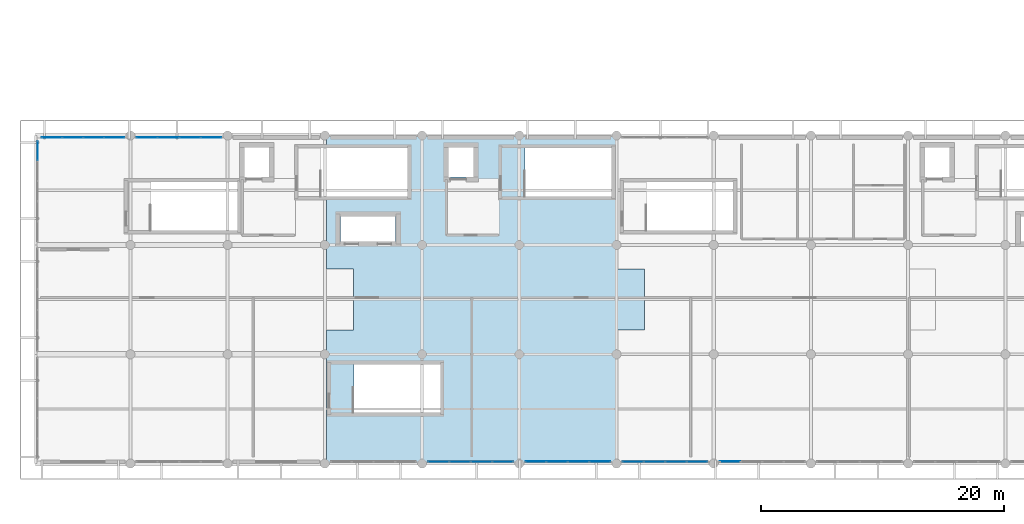
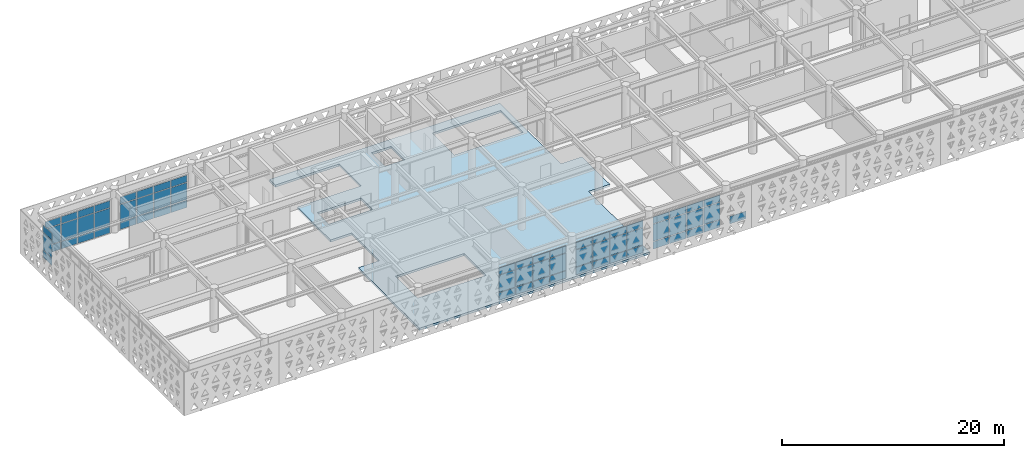
# One storey, part 15 of 26: 64 plates, 1 slab, 7 elements without a shape of their own.
"""IFC4 building model written with IfcOpenShell, lengths in metres."""

from ifc_helpers import new_model, si_unit, direction, frame, origin, origin_2d, place, context, subcontext, project, spatial, polyline, rectangle, outline, extrude, material, layer, layer_set, type_object, element, aggregate, save


model = new_model("IFC4")

# Units and contexts
model_context = context("Model", 3, precision=1e-05, world=origin(), true_north=direction((0.0, 1.0)))
body_context = subcontext(model_context, "Body", "Model", "MODEL_VIEW")
ifc_project = project(units=[si_unit("LENGTHUNIT", "METRE"), si_unit("AREAUNIT", "SQUARE_METRE"), si_unit("VOLUMEUNIT", "CUBIC_METRE"), si_unit("PLANEANGLEUNIT", "RADIAN"), si_unit("MASSUNIT", "GRAM", prefix="KILO")], contexts=[model_context])

# Site, building, storey
site_placement = place(None, origin())
site = spatial("IfcSite", under=ifc_project, at=site_placement, CompositionType="ELEMENT")
building_placement = place(site_placement, origin())
building = spatial("IfcBuilding", under=site, at=building_placement, Name="Tlacozan Convention Centre", CompositionType="ELEMENT")
storey_placement = place(building_placement, frame((0.0, 0.0, 21.0)))
storey = spatial("IfcBuildingStorey", under=building, at=storey_placement, Name="L04", CompositionType="ELEMENT", Elevation=21.0)

# Slab
ifc_material_1 = material(Name="Concrete C40/50", Category="concrete")
ifc_layer_1 = layer(ifc_material_1, 0.239990234375)
ifc_layer_set_1 = layer_set([ifc_layer_1], Name="Concrete C40/50")
slab_type = type_object("IfcSlabType", Name="Belvedere Congress Floor Slab 240", PredefinedType="FLOOR", material=ifc_layer_set_1)
slab_placement = place(storey_placement, frame((0.0, 0.0, -0.239990234375)))
element("IfcSlab", 1, at=slab_placement, inside=storey, type_object=slab_type, Name="L04 Belvedere Congress Floor Slab 240 85", PredefinedType="FLOOR", context=body_context, shape_type="SweptSolid", body=[
    extrude(outline(polyline([(24.14990234375, 11.0), (26.35009765625, 11.0), (26.35009765625, 16.0), (24.14990234375, 16.0), (24.14990234375, 22.0), (30.800048828125, 22.0), (30.800048828125, 25.9599609375), (24.14990234375, 25.9599609375), (24.14990234375, 27.0), (48.10009765625, 27.0), (48.10009765625, 16.0), (50.300048828125, 16.0), (50.300048828125, 11.0), (48.10009765625, 11.0), (48.10009765625, 0.0), (24.14990234375, 0.0), (24.14990234375, 11.0)]), holes=[polyline([(33.5, 8.159912109375), (26.3798828125, 8.159912109375), (26.3798828125, 4.199951171875), (33.5, 4.199951171875), (33.5, 8.159912109375)]), polyline([(25.27001953125, 20.330078125), (25.27001953125, 18.27001953125), (29.830078125, 18.27001953125), (29.830078125, 20.330078125), (25.27001953125, 20.330078125)]), polyline([(34.179931640625, 26.02001953125), (34.179931640625, 23.580078125), (36.219970703125, 23.580078125), (36.219970703125, 26.02001953125), (34.179931640625, 26.02001953125)]), polyline([(47.60009765625, 25.9599609375), (40.47998046875, 25.9599609375), (40.47998046875, 22.0), (47.60009765625, 22.0), (47.60009765625, 25.9599609375)])]), origin(), (0.0, 0.0, 1.0), 0.239990234375),
])

# Curtain wall, plates
ifc_material_2 = material(Name="Dark Bronze Anodised Aluminium", Category="aluminium")
ifc_layer_2 = layer(ifc_material_2, 0.159912109375)
ifc_layer_set_2 = layer_set([ifc_layer_2], Name="Dark Bronze Anodised Aluminium")
curtain_wall_type_1 = type_object("IfcCurtainWallType", Name="Unitised Congress L04 South CW05", PredefinedType="NOTDEFINED", material=ifc_layer_set_2)
curtain_wall_1_placement = place(storey_placement, origin())
curtain_wall_1 = element("IfcCurtainWall", 2, at=curtain_wall_1_placement, inside=storey, type_object=curtain_wall_type_1, Name="L04 CW-05 Run 134", PredefinedType="NOTDEFINED")
ifc_material_3 = material(Name="Solar Control Double Low-E Argon Glazing", Category="glass")
ifc_layer_3 = layer(ifc_material_3, 0.030029296875)
ifc_layer_set_3 = layer_set([ifc_layer_3], Name="Solar Control Double Low-E Argon Glazing")
plate_type_1 = type_object("IfcPlateType", Name="Double Low-E Acoustic CW Panel 30", PredefinedType="CURTAIN_PANEL", material=ifc_layer_set_3)
plate_1_placement = place(storey_placement, frame((1.52880859375, 26.840087890625, 0.06494140625), z_axis=(0.0, 0.0, 1.0), x_axis=(1.0, 0.0, 0.0)))
plate_1 = element("IfcPlate", 3, at=plate_1_placement, type_object=plate_type_1, Name="CW-05 panel 1.1", PredefinedType="CURTAIN_PANEL", context=body_context, shape_type="SweptSolid", body=[
    extrude(rectangle(XDim=1.62744140625, YDim=0.030029296875, at=origin_2d()), origin(), (0.0, 0.0, 1.0), 0.802490234375),
])
plate_2_placement = place(storey_placement, frame((1.52880859375, 26.840087890625, 0.9326171875), z_axis=(0.0, 0.0, 1.0), x_axis=(1.0, 0.0, 0.0)))
plate_2 = element("IfcPlate", 4, at=plate_2_placement, type_object=plate_type_1, Name="CW-05 panel 1.2", PredefinedType="CURTAIN_PANEL", context=body_context, shape_type="SweptSolid", body=[
    extrude(rectangle(XDim=1.62744140625, YDim=0.030029296875, at=origin_2d()), origin(), (0.0, 0.0, 1.0), 1.864990234375),
])
plate_3_placement = place(storey_placement, frame((1.52880859375, 26.840087890625, 2.862548828125), z_axis=(0.0, 0.0, 1.0), x_axis=(1.0, 0.0, 0.0)))
plate_3 = element("IfcPlate", 5, at=plate_3_placement, type_object=plate_type_1, Name="CW-05 panel 1.3", PredefinedType="CURTAIN_PANEL", context=body_context, shape_type="SweptSolid", body=[
    extrude(rectangle(XDim=1.62744140625, YDim=0.030029296875, at=origin_2d()), origin(), (0.0, 0.0, 1.0), 0.75244140625),
])
plate_4_placement = place(storey_placement, frame((3.237548828125, 26.840087890625, 0.06494140625), z_axis=(0.0, 0.0, 1.0), x_axis=(1.0, 0.0, 0.0)))
plate_4 = element("IfcPlate", 6, at=plate_4_placement, type_object=plate_type_1, Name="CW-05 panel 2.1", PredefinedType="CURTAIN_PANEL", context=body_context, shape_type="SweptSolid", body=[
    extrude(rectangle(XDim=1.659912109375, YDim=0.030029296875, at=origin_2d()), origin(), (0.0, 0.0, 1.0), 0.802490234375),
])
plate_5_placement = place(storey_placement, frame((3.237548828125, 26.840087890625, 0.9326171875), z_axis=(0.0, 0.0, 1.0), x_axis=(1.0, 0.0, 0.0)))
plate_5 = element("IfcPlate", 7, at=plate_5_placement, type_object=plate_type_1, Name="CW-05 panel 2.2", PredefinedType="CURTAIN_PANEL", context=body_context, shape_type="SweptSolid", body=[
    extrude(rectangle(XDim=1.659912109375, YDim=0.030029296875, at=origin_2d()), origin(), (0.0, 0.0, 1.0), 1.864990234375),
])
plate_6_placement = place(storey_placement, frame((3.237548828125, 26.840087890625, 2.862548828125), z_axis=(0.0, 0.0, 1.0), x_axis=(1.0, 0.0, 0.0)))
plate_6 = element("IfcPlate", 8, at=plate_6_placement, type_object=plate_type_1, Name="CW-05 panel 2.3", PredefinedType="CURTAIN_PANEL", context=body_context, shape_type="SweptSolid", body=[
    extrude(rectangle(XDim=1.659912109375, YDim=0.030029296875, at=origin_2d()), origin(), (0.0, 0.0, 1.0), 0.75244140625),
])
plate_7_placement = place(storey_placement, frame((4.96240234375, 26.840087890625, 0.06494140625), z_axis=(0.0, 0.0, 1.0), x_axis=(1.0, 0.0, 0.0)))
plate_7 = element("IfcPlate", 9, at=plate_7_placement, type_object=plate_type_1, Name="CW-05 panel 3.1", PredefinedType="CURTAIN_PANEL", context=body_context, shape_type="SweptSolid", body=[
    extrude(rectangle(XDim=1.659912109375, YDim=0.030029296875, at=origin_2d()), origin(), (0.0, 0.0, 1.0), 0.802490234375),
])
plate_8_placement = place(storey_placement, frame((4.96240234375, 26.840087890625, 0.9326171875), z_axis=(0.0, 0.0, 1.0), x_axis=(1.0, 0.0, 0.0)))
plate_8 = element("IfcPlate", 10, at=plate_8_placement, type_object=plate_type_1, Name="CW-05 panel 3.2", PredefinedType="CURTAIN_PANEL", context=body_context, shape_type="SweptSolid", body=[
    extrude(rectangle(XDim=1.659912109375, YDim=0.030029296875, at=origin_2d()), origin(), (0.0, 0.0, 1.0), 1.864990234375),
])
plate_9_placement = place(storey_placement, frame((4.96240234375, 26.840087890625, 2.862548828125), z_axis=(0.0, 0.0, 1.0), x_axis=(1.0, 0.0, 0.0)))
plate_9 = element("IfcPlate", 11, at=plate_9_placement, type_object=plate_type_1, Name="CW-05 panel 3.3", PredefinedType="CURTAIN_PANEL", context=body_context, shape_type="SweptSolid", body=[
    extrude(rectangle(XDim=1.659912109375, YDim=0.030029296875, at=origin_2d()), origin(), (0.0, 0.0, 1.0), 0.75244140625),
])
plate_10_placement = place(storey_placement, frame((6.671142578125, 26.840087890625, 0.06494140625), z_axis=(0.0, 0.0, 1.0), x_axis=(1.0, 0.0, 0.0)))
plate_10 = element("IfcPlate", 12, at=plate_10_placement, type_object=plate_type_1, Name="CW-05 panel 4.1", PredefinedType="CURTAIN_PANEL", context=body_context, shape_type="SweptSolid", body=[
    extrude(rectangle(XDim=1.62744140625, YDim=0.030029296875, at=origin_2d()), origin(), (0.0, 0.0, 1.0), 0.802490234375),
])
plate_11_placement = place(storey_placement, frame((6.671142578125, 26.840087890625, 0.9326171875), z_axis=(0.0, 0.0, 1.0), x_axis=(1.0, 0.0, 0.0)))
plate_11 = element("IfcPlate", 13, at=plate_11_placement, type_object=plate_type_1, Name="CW-05 panel 4.2", PredefinedType="CURTAIN_PANEL", context=body_context, shape_type="SweptSolid", body=[
    extrude(rectangle(XDim=1.62744140625, YDim=0.030029296875, at=origin_2d()), origin(), (0.0, 0.0, 1.0), 1.864990234375),
])
plate_12_placement = place(storey_placement, frame((6.671142578125, 26.840087890625, 2.862548828125), z_axis=(0.0, 0.0, 1.0), x_axis=(1.0, 0.0, 0.0)))
plate_12 = element("IfcPlate", 14, at=plate_12_placement, type_object=plate_type_1, Name="CW-05 panel 4.3", PredefinedType="CURTAIN_PANEL", context=body_context, shape_type="SweptSolid", body=[
    extrude(rectangle(XDim=1.62744140625, YDim=0.030029296875, at=origin_2d()), origin(), (0.0, 0.0, 1.0), 0.75244140625),
])
aggregate(curtain_wall_1, [plate_1, plate_2, plate_3, plate_4, plate_5, plate_6, plate_7, plate_8, plate_9, plate_10, plate_11, plate_12])

curtain_wall_2_placement = place(storey_placement, origin())
curtain_wall_2 = element("IfcCurtainWall", 15, at=curtain_wall_2_placement, inside=storey, type_object=curtain_wall_type_1, Name="L04 CW-05 Run 135", PredefinedType="NOTDEFINED")
plate_13_placement = place(storey_placement, frame((9.353759765625, 26.840087890625, 0.06494140625), z_axis=(0.0, 0.0, 1.0), x_axis=(1.0, 0.0, 0.0)))
plate_13 = element("IfcPlate", 16, at=plate_13_placement, type_object=plate_type_1, Name="CW-05 panel 1.1", PredefinedType="CURTAIN_PANEL", context=body_context, shape_type="SweptSolid", body=[
    extrude(rectangle(XDim=1.677490234375, YDim=0.030029296875, at=origin_2d()), origin(), (0.0, 0.0, 1.0), 0.802490234375),
])
plate_14_placement = place(storey_placement, frame((9.353759765625, 26.840087890625, 0.9326171875), z_axis=(0.0, 0.0, 1.0), x_axis=(1.0, 0.0, 0.0)))
plate_14 = element("IfcPlate", 17, at=plate_14_placement, type_object=plate_type_1, Name="CW-05 panel 1.2", PredefinedType="CURTAIN_PANEL", context=body_context, shape_type="SweptSolid", body=[
    extrude(rectangle(XDim=1.677490234375, YDim=0.030029296875, at=origin_2d()), origin(), (0.0, 0.0, 1.0), 1.864990234375),
])
plate_15_placement = place(storey_placement, frame((9.353759765625, 26.840087890625, 2.862548828125), z_axis=(0.0, 0.0, 1.0), x_axis=(1.0, 0.0, 0.0)))
plate_15 = element("IfcPlate", 18, at=plate_15_placement, type_object=plate_type_1, Name="CW-05 panel 1.3", PredefinedType="CURTAIN_PANEL", context=body_context, shape_type="SweptSolid", body=[
    extrude(rectangle(XDim=1.677490234375, YDim=0.030029296875, at=origin_2d()), origin(), (0.0, 0.0, 1.0), 0.75244140625),
])
plate_16_placement = place(storey_placement, frame((11.112548828125, 26.840087890625, 0.06494140625), z_axis=(0.0, 0.0, 1.0), x_axis=(1.0, 0.0, 0.0)))
plate_16 = element("IfcPlate", 19, at=plate_16_placement, type_object=plate_type_1, Name="CW-05 panel 2.1", PredefinedType="CURTAIN_PANEL", context=body_context, shape_type="SweptSolid", body=[
    extrude(rectangle(XDim=1.7099609375, YDim=0.030029296875, at=origin_2d()), origin(), (0.0, 0.0, 1.0), 0.802490234375),
])
plate_17_placement = place(storey_placement, frame((11.112548828125, 26.840087890625, 0.9326171875), z_axis=(0.0, 0.0, 1.0), x_axis=(1.0, 0.0, 0.0)))
plate_17 = element("IfcPlate", 20, at=plate_17_placement, type_object=plate_type_1, Name="CW-05 panel 2.2", PredefinedType="CURTAIN_PANEL", context=body_context, shape_type="SweptSolid", body=[
    extrude(rectangle(XDim=1.7099609375, YDim=0.030029296875, at=origin_2d()), origin(), (0.0, 0.0, 1.0), 1.864990234375),
])
plate_18_placement = place(storey_placement, frame((11.112548828125, 26.840087890625, 2.862548828125), z_axis=(0.0, 0.0, 1.0), x_axis=(1.0, 0.0, 0.0)))
plate_18 = element("IfcPlate", 21, at=plate_18_placement, type_object=plate_type_1, Name="CW-05 panel 2.3", PredefinedType="CURTAIN_PANEL", context=body_context, shape_type="SweptSolid", body=[
    extrude(rectangle(XDim=1.7099609375, YDim=0.030029296875, at=origin_2d()), origin(), (0.0, 0.0, 1.0), 0.75244140625),
])
plate_19_placement = place(storey_placement, frame((12.887451171875, 26.840087890625, 0.06494140625), z_axis=(0.0, 0.0, 1.0), x_axis=(1.0, 0.0, 0.0)))
plate_19 = element("IfcPlate", 22, at=plate_19_placement, type_object=plate_type_1, Name="CW-05 panel 3.1", PredefinedType="CURTAIN_PANEL", context=body_context, shape_type="SweptSolid", body=[
    extrude(rectangle(XDim=1.7099609375, YDim=0.030029296875, at=origin_2d()), origin(), (0.0, 0.0, 1.0), 0.802490234375),
])
plate_20_placement = place(storey_placement, frame((12.887451171875, 26.840087890625, 0.9326171875), z_axis=(0.0, 0.0, 1.0), x_axis=(1.0, 0.0, 0.0)))
plate_20 = element("IfcPlate", 23, at=plate_20_placement, type_object=plate_type_1, Name="CW-05 panel 3.2", PredefinedType="CURTAIN_PANEL", context=body_context, shape_type="SweptSolid", body=[
    extrude(rectangle(XDim=1.7099609375, YDim=0.030029296875, at=origin_2d()), origin(), (0.0, 0.0, 1.0), 1.864990234375),
])
plate_21_placement = place(storey_placement, frame((12.887451171875, 26.840087890625, 2.862548828125), z_axis=(0.0, 0.0, 1.0), x_axis=(1.0, 0.0, 0.0)))
plate_21 = element("IfcPlate", 24, at=plate_21_placement, type_object=plate_type_1, Name="CW-05 panel 3.3", PredefinedType="CURTAIN_PANEL", context=body_context, shape_type="SweptSolid", body=[
    extrude(rectangle(XDim=1.7099609375, YDim=0.030029296875, at=origin_2d()), origin(), (0.0, 0.0, 1.0), 0.75244140625),
])
plate_22_placement = place(storey_placement, frame((14.646240234375, 26.840087890625, 0.06494140625), z_axis=(0.0, 0.0, 1.0), x_axis=(1.0, 0.0, 0.0)))
plate_22 = element("IfcPlate", 25, at=plate_22_placement, type_object=plate_type_1, Name="CW-05 panel 4.1", PredefinedType="CURTAIN_PANEL", context=body_context, shape_type="SweptSolid", body=[
    extrude(rectangle(XDim=1.677490234375, YDim=0.030029296875, at=origin_2d()), origin(), (0.0, 0.0, 1.0), 0.802490234375),
])
plate_23_placement = place(storey_placement, frame((14.646240234375, 26.840087890625, 0.9326171875), z_axis=(0.0, 0.0, 1.0), x_axis=(1.0, 0.0, 0.0)))
plate_23 = element("IfcPlate", 26, at=plate_23_placement, type_object=plate_type_1, Name="CW-05 panel 4.2", PredefinedType="CURTAIN_PANEL", context=body_context, shape_type="SweptSolid", body=[
    extrude(rectangle(XDim=1.677490234375, YDim=0.030029296875, at=origin_2d()), origin(), (0.0, 0.0, 1.0), 1.864990234375),
])
plate_24_placement = place(storey_placement, frame((14.646240234375, 26.840087890625, 2.862548828125), z_axis=(0.0, 0.0, 1.0), x_axis=(1.0, 0.0, 0.0)))
plate_24 = element("IfcPlate", 27, at=plate_24_placement, type_object=plate_type_1, Name="CW-05 panel 4.3", PredefinedType="CURTAIN_PANEL", context=body_context, shape_type="SweptSolid", body=[
    extrude(rectangle(XDim=1.677490234375, YDim=0.030029296875, at=origin_2d()), origin(), (0.0, 0.0, 1.0), 0.75244140625),
])
aggregate(curtain_wall_2, [plate_13, plate_14, plate_15, plate_16, plate_17, plate_18, plate_19, plate_20, plate_21, plate_22, plate_23, plate_24])

curtain_wall_3_placement = place(storey_placement, origin())
curtain_wall_3 = element("IfcCurtainWall", 28, at=curtain_wall_3_placement, inside=storey, type_object=curtain_wall_type_1, Name="L04 CW-05 Run 126", PredefinedType="NOTDEFINED")
ifc_layer_4 = layer(ifc_material_3, 0.02001953125)
ifc_layer_set_4 = layer_set([ifc_layer_4], Name="Solar Control Double Low-E Argon Glazing")
plate_type_2 = type_object("IfcPlateType", Name="Double Low-E Glazed CW Panel 20", PredefinedType="CURTAIN_PANEL", material=ifc_layer_set_4)
plate_25_placement = place(storey_placement, frame((33.353759765625, 0.159912109375, 0.06494140625), z_axis=(0.0, 0.0, 1.0), x_axis=(1.0, 0.0, 0.0)))
plate_25 = element("IfcPlate", 29, at=plate_25_placement, type_object=plate_type_2, Name="CW-05 panel 1.1", PredefinedType="CURTAIN_PANEL", context=body_context, shape_type="SweptSolid", body=[
    extrude(rectangle(XDim=1.677490234375, YDim=0.02001953125, at=origin_2d()), origin(), (0.0, 0.0, 1.0), 0.802490234375),
])
plate_26_placement = place(storey_placement, frame((33.353759765625, 0.159912109375, 0.9326171875), z_axis=(0.0, 0.0, 1.0), x_axis=(1.0, 0.0, 0.0)))
plate_26 = element("IfcPlate", 30, at=plate_26_placement, type_object=plate_type_2, Name="CW-05 panel 1.2", PredefinedType="CURTAIN_PANEL", context=body_context, shape_type="SweptSolid", body=[
    extrude(rectangle(XDim=1.677490234375, YDim=0.02001953125, at=origin_2d()), origin(), (0.0, 0.0, 1.0), 1.864990234375),
])
plate_27_placement = place(storey_placement, frame((33.353759765625, 0.159912109375, 2.862548828125), z_axis=(0.0, 0.0, 1.0), x_axis=(1.0, 0.0, 0.0)))
plate_27 = element("IfcPlate", 31, at=plate_27_placement, type_object=plate_type_2, Name="CW-05 panel 1.3", PredefinedType="CURTAIN_PANEL", context=body_context, shape_type="SweptSolid", body=[
    extrude(rectangle(XDim=1.677490234375, YDim=0.02001953125, at=origin_2d()), origin(), (0.0, 0.0, 1.0), 0.75244140625),
])
plate_28_placement = place(storey_placement, frame((35.112548828125, 0.159912109375, 0.06494140625), z_axis=(0.0, 0.0, 1.0), x_axis=(1.0, 0.0, 0.0)))
plate_28 = element("IfcPlate", 32, at=plate_28_placement, type_object=plate_type_2, Name="CW-05 panel 2.1", PredefinedType="CURTAIN_PANEL", context=body_context, shape_type="SweptSolid", body=[
    extrude(rectangle(XDim=1.7099609375, YDim=0.02001953125, at=origin_2d()), origin(), (0.0, 0.0, 1.0), 0.802490234375),
])
plate_29_placement = place(storey_placement, frame((35.112548828125, 0.159912109375, 0.9326171875), z_axis=(0.0, 0.0, 1.0), x_axis=(1.0, 0.0, 0.0)))
plate_29 = element("IfcPlate", 33, at=plate_29_placement, type_object=plate_type_2, Name="CW-05 panel 2.2", PredefinedType="CURTAIN_PANEL", context=body_context, shape_type="SweptSolid", body=[
    extrude(rectangle(XDim=1.7099609375, YDim=0.02001953125, at=origin_2d()), origin(), (0.0, 0.0, 1.0), 1.864990234375),
])
plate_30_placement = place(storey_placement, frame((35.112548828125, 0.159912109375, 2.862548828125), z_axis=(0.0, 0.0, 1.0), x_axis=(1.0, 0.0, 0.0)))
plate_30 = element("IfcPlate", 34, at=plate_30_placement, type_object=plate_type_2, Name="CW-05 panel 2.3", PredefinedType="CURTAIN_PANEL", context=body_context, shape_type="SweptSolid", body=[
    extrude(rectangle(XDim=1.7099609375, YDim=0.02001953125, at=origin_2d()), origin(), (0.0, 0.0, 1.0), 0.75244140625),
])
plate_31_placement = place(storey_placement, frame((36.887451171875, 0.159912109375, 0.06494140625), z_axis=(0.0, 0.0, 1.0), x_axis=(1.0, 0.0, 0.0)))
plate_31 = element("IfcPlate", 35, at=plate_31_placement, type_object=plate_type_2, Name="CW-05 panel 3.1", PredefinedType="CURTAIN_PANEL", context=body_context, shape_type="SweptSolid", body=[
    extrude(rectangle(XDim=1.7099609375, YDim=0.02001953125, at=origin_2d()), origin(), (0.0, 0.0, 1.0), 0.802490234375),
])
plate_32_placement = place(storey_placement, frame((36.887451171875, 0.159912109375, 0.9326171875), z_axis=(0.0, 0.0, 1.0), x_axis=(1.0, 0.0, 0.0)))
plate_32 = element("IfcPlate", 36, at=plate_32_placement, type_object=plate_type_2, Name="CW-05 panel 3.2", PredefinedType="CURTAIN_PANEL", context=body_context, shape_type="SweptSolid", body=[
    extrude(rectangle(XDim=1.7099609375, YDim=0.02001953125, at=origin_2d()), origin(), (0.0, 0.0, 1.0), 1.864990234375),
])
plate_33_placement = place(storey_placement, frame((36.887451171875, 0.159912109375, 2.862548828125), z_axis=(0.0, 0.0, 1.0), x_axis=(1.0, 0.0, 0.0)))
plate_33 = element("IfcPlate", 37, at=plate_33_placement, type_object=plate_type_2, Name="CW-05 panel 3.3", PredefinedType="CURTAIN_PANEL", context=body_context, shape_type="SweptSolid", body=[
    extrude(rectangle(XDim=1.7099609375, YDim=0.02001953125, at=origin_2d()), origin(), (0.0, 0.0, 1.0), 0.75244140625),
])
plate_34_placement = place(storey_placement, frame((38.646240234375, 0.159912109375, 0.06494140625), z_axis=(0.0, 0.0, 1.0), x_axis=(1.0, 0.0, 0.0)))
plate_34 = element("IfcPlate", 38, at=plate_34_placement, type_object=plate_type_2, Name="CW-05 panel 4.1", PredefinedType="CURTAIN_PANEL", context=body_context, shape_type="SweptSolid", body=[
    extrude(rectangle(XDim=1.677490234375, YDim=0.02001953125, at=origin_2d()), origin(), (0.0, 0.0, 1.0), 0.802490234375),
])
plate_35_placement = place(storey_placement, frame((38.646240234375, 0.159912109375, 0.9326171875), z_axis=(0.0, 0.0, 1.0), x_axis=(1.0, 0.0, 0.0)))
plate_35 = element("IfcPlate", 39, at=plate_35_placement, type_object=plate_type_2, Name="CW-05 panel 4.2", PredefinedType="CURTAIN_PANEL", context=body_context, shape_type="SweptSolid", body=[
    extrude(rectangle(XDim=1.677490234375, YDim=0.02001953125, at=origin_2d()), origin(), (0.0, 0.0, 1.0), 1.864990234375),
])
plate_36_placement = place(storey_placement, frame((38.646240234375, 0.159912109375, 2.862548828125), z_axis=(0.0, 0.0, 1.0), x_axis=(1.0, 0.0, 0.0)))
plate_36 = element("IfcPlate", 40, at=plate_36_placement, type_object=plate_type_2, Name="CW-05 panel 4.3", PredefinedType="CURTAIN_PANEL", context=body_context, shape_type="SweptSolid", body=[
    extrude(rectangle(XDim=1.677490234375, YDim=0.02001953125, at=origin_2d()), origin(), (0.0, 0.0, 1.0), 0.75244140625),
])
aggregate(curtain_wall_3, [plate_25, plate_26, plate_27, plate_28, plate_29, plate_30, plate_31, plate_32, plate_33, plate_34, plate_35, plate_36])

curtain_wall_4_placement = place(storey_placement, origin())
curtain_wall_4 = element("IfcCurtainWall", 41, at=curtain_wall_4_placement, inside=storey, type_object=curtain_wall_type_1, Name="L04 CW-05 Run 128", PredefinedType="NOTDEFINED")
plate_37_placement = place(storey_placement, frame((49.353759765625, 0.159912109375, 0.06494140625), z_axis=(0.0, 0.0, 1.0), x_axis=(1.0, 0.0, 0.0)))
plate_37 = element("IfcPlate", 42, at=plate_37_placement, type_object=plate_type_2, Name="CW-05 panel 1.1", PredefinedType="CURTAIN_PANEL", context=body_context, shape_type="SweptSolid", body=[
    extrude(rectangle(XDim=1.677490234375, YDim=0.02001953125, at=origin_2d()), origin(), (0.0, 0.0, 1.0), 0.802490234375),
])
plate_38_placement = place(storey_placement, frame((49.353759765625, 0.159912109375, 0.9326171875), z_axis=(0.0, 0.0, 1.0), x_axis=(1.0, 0.0, 0.0)))
plate_38 = element("IfcPlate", 43, at=plate_38_placement, type_object=plate_type_2, Name="CW-05 panel 1.2", PredefinedType="CURTAIN_PANEL", context=body_context, shape_type="SweptSolid", body=[
    extrude(rectangle(XDim=1.677490234375, YDim=0.02001953125, at=origin_2d()), origin(), (0.0, 0.0, 1.0), 1.864990234375),
])
plate_39_placement = place(storey_placement, frame((49.353759765625, 0.159912109375, 2.862548828125), z_axis=(0.0, 0.0, 1.0), x_axis=(1.0, 0.0, 0.0)))
plate_39 = element("IfcPlate", 44, at=plate_39_placement, type_object=plate_type_2, Name="CW-05 panel 1.3", PredefinedType="CURTAIN_PANEL", context=body_context, shape_type="SweptSolid", body=[
    extrude(rectangle(XDim=1.677490234375, YDim=0.02001953125, at=origin_2d()), origin(), (0.0, 0.0, 1.0), 0.75244140625),
])
plate_40_placement = place(storey_placement, frame((51.112548828125, 0.159912109375, 0.06494140625), z_axis=(0.0, 0.0, 1.0), x_axis=(1.0, 0.0, 0.0)))
plate_40 = element("IfcPlate", 45, at=plate_40_placement, type_object=plate_type_2, Name="CW-05 panel 2.1", PredefinedType="CURTAIN_PANEL", context=body_context, shape_type="SweptSolid", body=[
    extrude(rectangle(XDim=1.7099609375, YDim=0.02001953125, at=origin_2d()), origin(), (0.0, 0.0, 1.0), 0.802490234375),
])
plate_41_placement = place(storey_placement, frame((51.112548828125, 0.159912109375, 0.9326171875), z_axis=(0.0, 0.0, 1.0), x_axis=(1.0, 0.0, 0.0)))
plate_41 = element("IfcPlate", 46, at=plate_41_placement, type_object=plate_type_2, Name="CW-05 panel 2.2", PredefinedType="CURTAIN_PANEL", context=body_context, shape_type="SweptSolid", body=[
    extrude(rectangle(XDim=1.7099609375, YDim=0.02001953125, at=origin_2d()), origin(), (0.0, 0.0, 1.0), 1.864990234375),
])
plate_42_placement = place(storey_placement, frame((51.112548828125, 0.159912109375, 2.862548828125), z_axis=(0.0, 0.0, 1.0), x_axis=(1.0, 0.0, 0.0)))
plate_42 = element("IfcPlate", 47, at=plate_42_placement, type_object=plate_type_2, Name="CW-05 panel 2.3", PredefinedType="CURTAIN_PANEL", context=body_context, shape_type="SweptSolid", body=[
    extrude(rectangle(XDim=1.7099609375, YDim=0.02001953125, at=origin_2d()), origin(), (0.0, 0.0, 1.0), 0.75244140625),
])
plate_43_placement = place(storey_placement, frame((52.887451171875, 0.159912109375, 0.06494140625), z_axis=(0.0, 0.0, 1.0), x_axis=(1.0, 0.0, 0.0)))
plate_43 = element("IfcPlate", 48, at=plate_43_placement, type_object=plate_type_2, Name="CW-05 panel 3.1", PredefinedType="CURTAIN_PANEL", context=body_context, shape_type="SweptSolid", body=[
    extrude(rectangle(XDim=1.7099609375, YDim=0.02001953125, at=origin_2d()), origin(), (0.0, 0.0, 1.0), 0.802490234375),
])
plate_44_placement = place(storey_placement, frame((52.887451171875, 0.159912109375, 0.9326171875), z_axis=(0.0, 0.0, 1.0), x_axis=(1.0, 0.0, 0.0)))
plate_44 = element("IfcPlate", 49, at=plate_44_placement, type_object=plate_type_2, Name="CW-05 panel 3.2", PredefinedType="CURTAIN_PANEL", context=body_context, shape_type="SweptSolid", body=[
    extrude(rectangle(XDim=1.7099609375, YDim=0.02001953125, at=origin_2d()), origin(), (0.0, 0.0, 1.0), 1.864990234375),
])
plate_45_placement = place(storey_placement, frame((52.887451171875, 0.159912109375, 2.862548828125), z_axis=(0.0, 0.0, 1.0), x_axis=(1.0, 0.0, 0.0)))
plate_45 = element("IfcPlate", 50, at=plate_45_placement, type_object=plate_type_2, Name="CW-05 panel 3.3", PredefinedType="CURTAIN_PANEL", context=body_context, shape_type="SweptSolid", body=[
    extrude(rectangle(XDim=1.7099609375, YDim=0.02001953125, at=origin_2d()), origin(), (0.0, 0.0, 1.0), 0.75244140625),
])
plate_46_placement = place(storey_placement, frame((54.646240234375, 0.159912109375, 0.06494140625), z_axis=(0.0, 0.0, 1.0), x_axis=(1.0, 0.0, 0.0)))
plate_46 = element("IfcPlate", 51, at=plate_46_placement, type_object=plate_type_2, Name="CW-05 panel 4.1", PredefinedType="CURTAIN_PANEL", context=body_context, shape_type="SweptSolid", body=[
    extrude(rectangle(XDim=1.677490234375, YDim=0.02001953125, at=origin_2d()), origin(), (0.0, 0.0, 1.0), 0.802490234375),
])
plate_47_placement = place(storey_placement, frame((54.646240234375, 0.159912109375, 0.9326171875), z_axis=(0.0, 0.0, 1.0), x_axis=(1.0, 0.0, 0.0)))
plate_47 = element("IfcPlate", 52, at=plate_47_placement, type_object=plate_type_2, Name="CW-05 panel 4.2", PredefinedType="CURTAIN_PANEL", context=body_context, shape_type="SweptSolid", body=[
    extrude(rectangle(XDim=1.677490234375, YDim=0.02001953125, at=origin_2d()), origin(), (0.0, 0.0, 1.0), 1.864990234375),
])
plate_48_placement = place(storey_placement, frame((54.646240234375, 0.159912109375, 2.862548828125), z_axis=(0.0, 0.0, 1.0), x_axis=(1.0, 0.0, 0.0)))
plate_48 = element("IfcPlate", 53, at=plate_48_placement, type_object=plate_type_2, Name="CW-05 panel 4.3", PredefinedType="CURTAIN_PANEL", context=body_context, shape_type="SweptSolid", body=[
    extrude(rectangle(XDim=1.677490234375, YDim=0.02001953125, at=origin_2d()), origin(), (0.0, 0.0, 1.0), 0.75244140625),
])
aggregate(curtain_wall_4, [plate_37, plate_38, plate_39, plate_40, plate_41, plate_42, plate_43, plate_44, plate_45, plate_46, plate_47, plate_48])

ifc_layer_5 = layer(ifc_material_2, 0.159912109375)
ifc_layer_set_5 = layer_set([ifc_layer_5], Name="Dark Bronze Anodised Aluminium")
curtain_wall_type_2 = type_object("IfcCurtainWallType", Name="Unitised Congress Gable End CW06", PredefinedType="NOTDEFINED", material=ifc_layer_set_5)
curtain_wall_5_placement = place(storey_placement, origin())
curtain_wall_5 = element("IfcCurtainWall", 54, at=curtain_wall_5_placement, inside=storey, type_object=curtain_wall_type_2, Name="L04 CW-06 Run 140", PredefinedType="NOTDEFINED")
plate_49_placement = place(storey_placement, frame((0.360107421875, 25.740966796875, 0.06005859375), z_axis=(0.0, 0.0, 1.0), x_axis=(0.0, 1.0, 0.0)))
plate_49 = element("IfcPlate", 55, at=plate_49_placement, type_object=plate_type_2, Name="CW-06 panel 5.1", PredefinedType="CURTAIN_PANEL", context=body_context, shape_type="SweptSolid", body=[
    extrude(rectangle(XDim=1.577880859375, YDim=0.02001953125, at=origin_2d()), origin(), (0.0, 0.0, 1.0), 0.81005859375),
])
plate_50_placement = place(storey_placement, frame((0.360107421875, 25.740966796875, 0.929931640625), z_axis=(0.0, 0.0, 1.0), x_axis=(0.0, 1.0, 0.0)))
plate_50 = element("IfcPlate", 56, at=plate_50_placement, type_object=plate_type_2, Name="CW-06 panel 5.2", PredefinedType="CURTAIN_PANEL", context=body_context, shape_type="SweptSolid", body=[
    extrude(rectangle(XDim=1.577880859375, YDim=0.02001953125, at=origin_2d()), origin(), (0.0, 0.0, 1.0), 1.8701171875),
])
plate_51_placement = place(storey_placement, frame((0.360107421875, 25.740966796875, 2.85986328125), z_axis=(0.0, 0.0, 1.0), x_axis=(0.0, 1.0, 0.0)))
plate_51 = element("IfcPlate", 57, at=plate_51_placement, type_object=plate_type_2, Name="CW-06 panel 5.3", PredefinedType="CURTAIN_PANEL", context=body_context, shape_type="SweptSolid", body=[
    extrude(rectangle(XDim=1.577880859375, YDim=0.02001953125, at=origin_2d()), origin(), (0.0, 0.0, 1.0), 0.760009765625),
])
aggregate(curtain_wall_5, [plate_49, plate_50, plate_51])

curtain_wall_6_placement = place(storey_placement, origin())
curtain_wall_6 = element("IfcCurtainWall", 58, at=curtain_wall_6_placement, inside=storey, type_object=curtain_wall_type_1, Name="L04 CW-05 Run 127", PredefinedType="NOTDEFINED")
ifc_layer_6 = layer(ifc_material_3, 0.0400390625)
ifc_layer_set_6 = layer_set([ifc_layer_6], Name="Solar Control Double Low-E Argon Glazing")
plate_type_3 = type_object("IfcPlateType", Name="Insulated Spandrel CW Panel 40", PredefinedType="CURTAIN_PANEL", material=ifc_layer_set_6)
plate_52_placement = place(storey_placement, frame((41.353759765625, 0.159912109375, 0.06494140625), z_axis=(0.0, 0.0, 1.0), x_axis=(1.0, 0.0, 0.0)))
plate_52 = element("IfcPlate", 59, at=plate_52_placement, type_object=plate_type_3, Name="CW-05 panel 1.1", PredefinedType="CURTAIN_PANEL", context=body_context, shape_type="SweptSolid", body=[
    extrude(rectangle(XDim=1.677490234375, YDim=0.0400390625, at=origin_2d()), origin(), (0.0, 0.0, 1.0), 0.802490234375),
])
plate_53_placement = place(storey_placement, frame((41.353759765625, 0.159912109375, 0.9326171875), z_axis=(0.0, 0.0, 1.0), x_axis=(1.0, 0.0, 0.0)))
plate_53 = element("IfcPlate", 60, at=plate_53_placement, type_object=plate_type_3, Name="CW-05 panel 1.2", PredefinedType="CURTAIN_PANEL", context=body_context, shape_type="SweptSolid", body=[
    extrude(rectangle(XDim=1.677490234375, YDim=0.0400390625, at=origin_2d()), origin(), (0.0, 0.0, 1.0), 1.864990234375),
])
plate_54_placement = place(storey_placement, frame((41.353759765625, 0.159912109375, 2.862548828125), z_axis=(0.0, 0.0, 1.0), x_axis=(1.0, 0.0, 0.0)))
plate_54 = element("IfcPlate", 61, at=plate_54_placement, type_object=plate_type_3, Name="CW-05 panel 1.3", PredefinedType="CURTAIN_PANEL", context=body_context, shape_type="SweptSolid", body=[
    extrude(rectangle(XDim=1.677490234375, YDim=0.0400390625, at=origin_2d()), origin(), (0.0, 0.0, 1.0), 0.75244140625),
])
plate_55_placement = place(storey_placement, frame((43.112548828125, 0.159912109375, 0.06494140625), z_axis=(0.0, 0.0, 1.0), x_axis=(1.0, 0.0, 0.0)))
plate_55 = element("IfcPlate", 62, at=plate_55_placement, type_object=plate_type_3, Name="CW-05 panel 2.1", PredefinedType="CURTAIN_PANEL", context=body_context, shape_type="SweptSolid", body=[
    extrude(rectangle(XDim=1.7099609375, YDim=0.0400390625, at=origin_2d()), origin(), (0.0, 0.0, 1.0), 0.802490234375),
])
plate_56_placement = place(storey_placement, frame((43.112548828125, 0.159912109375, 0.9326171875), z_axis=(0.0, 0.0, 1.0), x_axis=(1.0, 0.0, 0.0)))
plate_56 = element("IfcPlate", 63, at=plate_56_placement, type_object=plate_type_3, Name="CW-05 panel 2.2", PredefinedType="CURTAIN_PANEL", context=body_context, shape_type="SweptSolid", body=[
    extrude(rectangle(XDim=1.7099609375, YDim=0.0400390625, at=origin_2d()), origin(), (0.0, 0.0, 1.0), 1.864990234375),
])
plate_57_placement = place(storey_placement, frame((43.112548828125, 0.159912109375, 2.862548828125), z_axis=(0.0, 0.0, 1.0), x_axis=(1.0, 0.0, 0.0)))
plate_57 = element("IfcPlate", 64, at=plate_57_placement, type_object=plate_type_3, Name="CW-05 panel 2.3", PredefinedType="CURTAIN_PANEL", context=body_context, shape_type="SweptSolid", body=[
    extrude(rectangle(XDim=1.7099609375, YDim=0.0400390625, at=origin_2d()), origin(), (0.0, 0.0, 1.0), 0.75244140625),
])
plate_58_placement = place(storey_placement, frame((44.887451171875, 0.159912109375, 0.06494140625), z_axis=(0.0, 0.0, 1.0), x_axis=(1.0, 0.0, 0.0)))
plate_58 = element("IfcPlate", 65, at=plate_58_placement, type_object=plate_type_3, Name="CW-05 panel 3.1", PredefinedType="CURTAIN_PANEL", context=body_context, shape_type="SweptSolid", body=[
    extrude(rectangle(XDim=1.7099609375, YDim=0.0400390625, at=origin_2d()), origin(), (0.0, 0.0, 1.0), 0.802490234375),
])
plate_59_placement = place(storey_placement, frame((44.887451171875, 0.159912109375, 0.9326171875), z_axis=(0.0, 0.0, 1.0), x_axis=(1.0, 0.0, 0.0)))
plate_59 = element("IfcPlate", 66, at=plate_59_placement, type_object=plate_type_3, Name="CW-05 panel 3.2", PredefinedType="CURTAIN_PANEL", context=body_context, shape_type="SweptSolid", body=[
    extrude(rectangle(XDim=1.7099609375, YDim=0.0400390625, at=origin_2d()), origin(), (0.0, 0.0, 1.0), 1.864990234375),
])
plate_60_placement = place(storey_placement, frame((44.887451171875, 0.159912109375, 2.862548828125), z_axis=(0.0, 0.0, 1.0), x_axis=(1.0, 0.0, 0.0)))
plate_60 = element("IfcPlate", 67, at=plate_60_placement, type_object=plate_type_3, Name="CW-05 panel 3.3", PredefinedType="CURTAIN_PANEL", context=body_context, shape_type="SweptSolid", body=[
    extrude(rectangle(XDim=1.7099609375, YDim=0.0400390625, at=origin_2d()), origin(), (0.0, 0.0, 1.0), 0.75244140625),
])
plate_61_placement = place(storey_placement, frame((46.646240234375, 0.159912109375, 0.06494140625), z_axis=(0.0, 0.0, 1.0), x_axis=(1.0, 0.0, 0.0)))
plate_61 = element("IfcPlate", 68, at=plate_61_placement, type_object=plate_type_3, Name="CW-05 panel 4.1", PredefinedType="CURTAIN_PANEL", context=body_context, shape_type="SweptSolid", body=[
    extrude(rectangle(XDim=1.677490234375, YDim=0.0400390625, at=origin_2d()), origin(), (0.0, 0.0, 1.0), 0.802490234375),
])
plate_62_placement = place(storey_placement, frame((46.646240234375, 0.159912109375, 0.9326171875), z_axis=(0.0, 0.0, 1.0), x_axis=(1.0, 0.0, 0.0)))
plate_62 = element("IfcPlate", 69, at=plate_62_placement, type_object=plate_type_3, Name="CW-05 panel 4.2", PredefinedType="CURTAIN_PANEL", context=body_context, shape_type="SweptSolid", body=[
    extrude(rectangle(XDim=1.677490234375, YDim=0.0400390625, at=origin_2d()), origin(), (0.0, 0.0, 1.0), 1.864990234375),
])
plate_63_placement = place(storey_placement, frame((46.646240234375, 0.159912109375, 2.862548828125), z_axis=(0.0, 0.0, 1.0), x_axis=(1.0, 0.0, 0.0)))
plate_63 = element("IfcPlate", 70, at=plate_63_placement, type_object=plate_type_3, Name="CW-05 panel 4.3", PredefinedType="CURTAIN_PANEL", context=body_context, shape_type="SweptSolid", body=[
    extrude(rectangle(XDim=1.677490234375, YDim=0.0400390625, at=origin_2d()), origin(), (0.0, 0.0, 1.0), 0.75244140625),
])
aggregate(curtain_wall_6, [plate_52, plate_53, plate_54, plate_55, plate_56, plate_57, plate_58, plate_59, plate_60, plate_61, plate_62, plate_63])

# Curtain wall, plate
curtain_wall_7_placement = place(storey_placement, origin())
curtain_wall_7 = element("IfcCurtainWall", 71, at=curtain_wall_7_placement, inside=storey, type_object=curtain_wall_type_1, Name="L04 CW-05 Run 129", PredefinedType="NOTDEFINED")
plate_64_placement = place(storey_placement, frame((57.353759765625, 0.159912109375, 0.06494140625), z_axis=(0.0, 0.0, 1.0), x_axis=(1.0, 0.0, 0.0)))
plate_64 = element("IfcPlate", 72, at=plate_64_placement, type_object=plate_type_3, Name="CW-05 panel 1.1", PredefinedType="CURTAIN_PANEL", context=body_context, shape_type="SweptSolid", body=[
    extrude(rectangle(XDim=1.677490234375, YDim=0.0400390625, at=origin_2d()), origin(), (0.0, 0.0, 1.0), 0.802490234375),
])
aggregate(curtain_wall_7, [plate_64])

save(model, "model.ifc")
